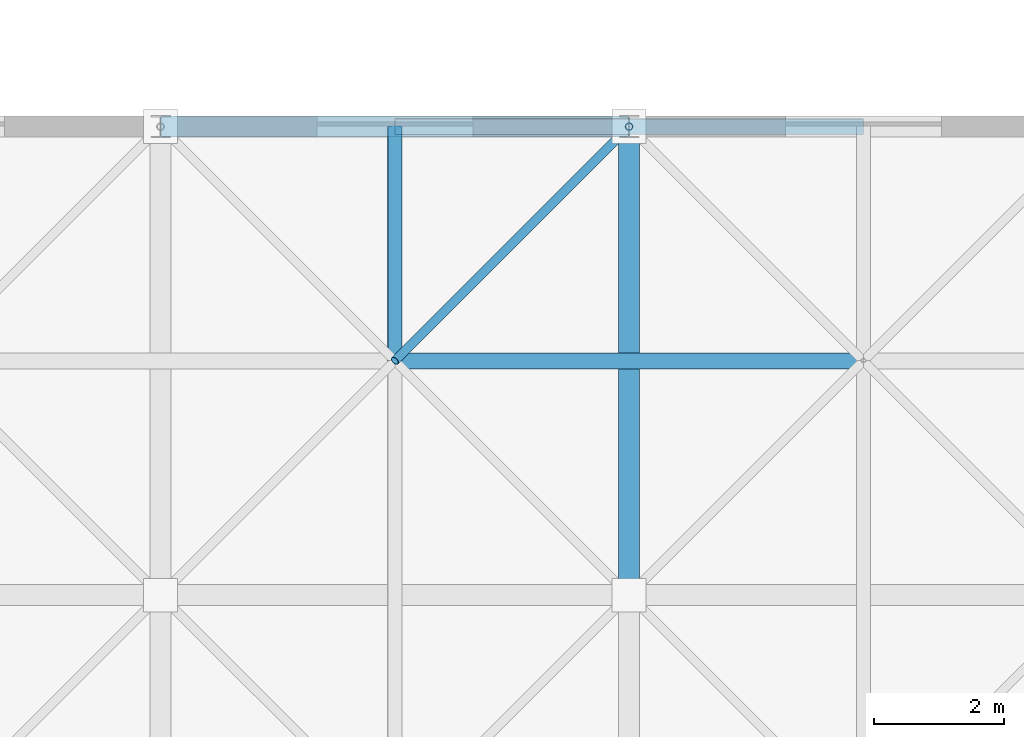
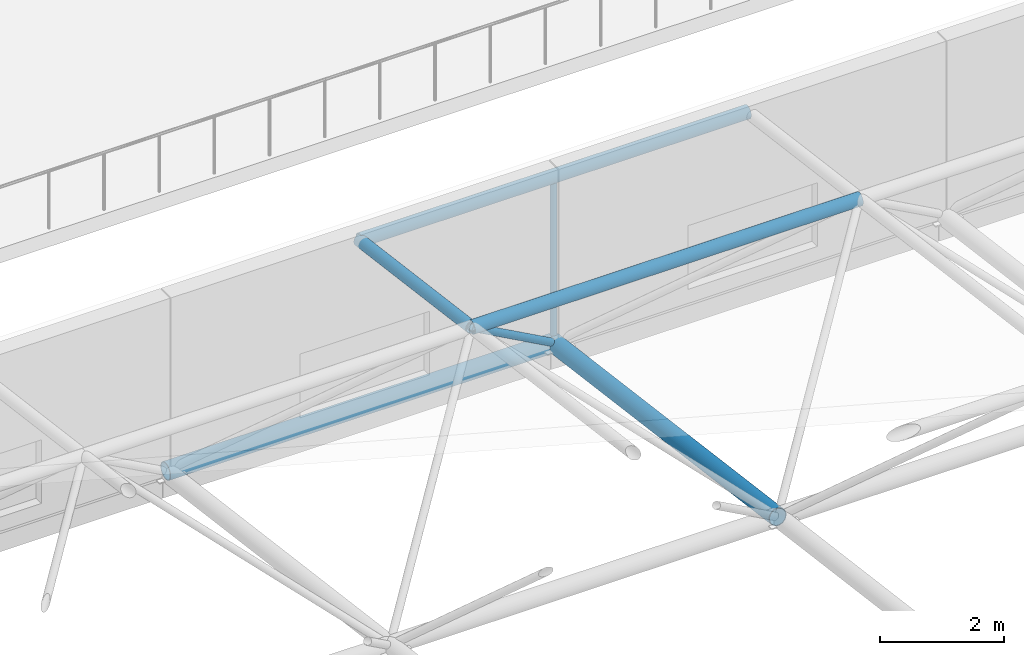
# One storey, part 60 of 103: 7 members.
"""IFC4 building model written with IfcOpenShell, lengths in metres."""

from ifc_helpers import new_model, si_unit, direction, frame, origin, origin_2d, place, context, subcontext, project, spatial, hollow_circle, extrude, material, material_profile, profile_set, type_object, element, save


model = new_model("IFC4")

# Units and contexts
model_context = context("Model", 3, precision=1e-05, world=origin(), true_north=direction((0.0, 1.0)))
body_context = subcontext(model_context, "Body", "Model", "MODEL_VIEW")
ifc_project = project(units=[si_unit("LENGTHUNIT", "METRE"), si_unit("AREAUNIT", "SQUARE_METRE"), si_unit("VOLUMEUNIT", "CUBIC_METRE"), si_unit("PLANEANGLEUNIT", "RADIAN"), si_unit("MASSUNIT", "GRAM", prefix="KILO")], contexts=[model_context])

# Site, building, storey
site_placement = place(None, origin())
site = spatial("IfcSite", under=ifc_project, at=site_placement, CompositionType="ELEMENT")
building_placement = place(site_placement, origin())
building = spatial("IfcBuilding", under=site, at=building_placement, Name="Thalmaran Polytechnic", CompositionType="ELEMENT")
storey_placement = place(building_placement, frame((0.0, 0.0, 14.39990234375)))
storey = spatial("IfcBuildingStorey", under=building, at=storey_placement, Name="L03", CompositionType="ELEMENT", Elevation=14.39990234375)

# Members
ifc_material = material(Name="Steel S355", Category="steel")
ifc_material_profile_1 = material_profile(ifc_material, hollow_circle(Radius=0.161865234375, WallThickness=0.012451171875, at=origin_2d()), Name="CHS 323.9x12.5")
ifc_profile_set_1 = profile_set([ifc_material_profile_1], Name="Steel S355")
member_type_1 = type_object("IfcMemberType", Name="MB-SFC0", PredefinedType="CHORD", material=ifc_profile_set_1)
member_1_placement = place(storey_placement, frame((151.199951171875, 50.39990234375, 0.380126953125), z_axis=(1.0, 0.0, 0.0), x_axis=(0.0, 1.0, 0.0)))
element("IfcMember", 1, at=member_1_placement, inside=storey, type_object=member_type_1, Name="Space-Frame Bottom Chord X (6,8)", PredefinedType="CHORD", context=body_context, shape_type="SweptSolid", body=[
    extrude(hollow_circle(Radius=0.161865234375, WallThickness=0.012451171875, at=origin_2d()), origin(), (0.0, 0.0, 1.0), 7.199951171875),
])
ifc_material_profile_2 = material_profile(ifc_material, hollow_circle(Radius=0.122314453125, WallThickness=0.010009765625, at=origin_2d()), Name="CHS 244.5x10.0")
ifc_profile_set_2 = profile_set([ifc_material_profile_2], Name="Steel S355")
member_type_2 = type_object("IfcMemberType", Name="MB-SFC1", PredefinedType="CHORD", material=ifc_profile_set_2)
for number, where, z_axis, x_axis, name in (
    (2, (154.800048828125, 46.800048828125, 4.1240234375), (1.0, 0.0, 0.0), (0.0, 1.0, 0.0), "Space-Frame Top Chord X (7,8)"),
    (3, (154.800048828125, 50.39990234375, 3.650146484375), (1.0, 0.0, 0.0), (0.0, 1.0, 0.0), "Space-Frame Top Chord X (7,9)"),
):
    element("IfcMember", number, at=place(storey_placement, frame(where, z_axis=z_axis, x_axis=x_axis)), inside=storey, type_object=member_type_2, Name=name, PredefinedType="CHORD", context=body_context, shape_type="SweptSolid", body=[
        extrude(hollow_circle(Radius=0.122314453125, WallThickness=0.010009765625, at=origin_2d()), origin(), (0.0, 0.0, 1.0), 7.199951171875),
    ])
ifc_material_profile_3 = material_profile(ifc_material, hollow_circle(Radius=0.109619140625, WallThickness=0.010009765625, at=origin_2d()), Name="CHS 219.1x10.0")
ifc_profile_set_3 = profile_set([ifc_material_profile_3], Name="Steel S355")
member_type_3 = type_object("IfcMemberType", Name="MB-SFC2", PredefinedType="CHORD", material=ifc_profile_set_3)
member_2_placement = place(storey_placement, frame((154.800048828125, 46.800048828125, 4.1240234375), z_axis=(0.0, 0.99144674145, -0.130511910828), x_axis=(-1.0, 0.0, 0.0)))
element("IfcMember", 4, at=member_2_placement, inside=storey, type_object=member_type_3, Name="Space-Frame Top Chord Y (7,8)", PredefinedType="CHORD", context=body_context, shape_type="SweptSolid", body=[
    extrude(hollow_circle(Radius=0.109619140625, WallThickness=0.010009765625, at=origin_2d()), origin(), (0.0, 0.0, 1.0), 3.630859375),
])
ifc_material_profile_4 = material_profile(ifc_material, hollow_circle(Radius=0.161865234375, WallThickness=0.012451171875, at=origin_2d()), Name="CHS 323.9x12.5")
ifc_profile_set_4 = profile_set([ifc_material_profile_4], Name="Steel S355")
member_type_4 = type_object("IfcMemberType", Name="MB-SFC4", PredefinedType="CHORD", material=ifc_profile_set_4)
member_3_placement = place(storey_placement, frame((158.39990234375, 43.199951171875, 1.327880859375), z_axis=(0.0, 0.991447314079, -0.130507560722), x_axis=(-1.0, 0.0, 0.0)))
element("IfcMember", 5, at=member_3_placement, inside=storey, type_object=member_type_4, Name="Space-Frame Bottom Chord Y (7,7)", PredefinedType="CHORD", context=body_context, shape_type="SweptSolid", body=[
    extrude(hollow_circle(Radius=0.161865234375, WallThickness=0.012451171875, at=origin_2d()), origin(), (0.0, 0.0, 1.0), 7.261962890625),
])
ifc_material_profile_5 = material_profile(ifc_material, hollow_circle(Radius=0.06982421875, WallThickness=0.008056640625, at=origin_2d()), Name="CHS 139.7x8.0")
ifc_profile_set_5 = profile_set([ifc_material_profile_5], Name="Steel S355")
member_type_5 = type_object("IfcMemberType", Name="MB-SFD2", PredefinedType="BRACE", material=ifc_profile_set_5)
member_4_placement = place(storey_placement, frame((158.39990234375, 50.39990234375, 0.380126953125), z_axis=(-0.569652331509, -0.569652331509, 0.592446151488), x_axis=(0.707106781187, -0.707106781187, 0.0)))
element("IfcMember", 6, at=member_4_placement, inside=storey, type_object=member_type_5, Name="Space-Frame Web Diagonal (6,7)-4", PredefinedType="BRACE", context=body_context, shape_type="SweptSolid", body=[
    extrude(hollow_circle(Radius=0.06982421875, WallThickness=0.008056640625, at=origin_2d()), origin(), (0.0, 0.0, 1.0), 6.3193359375),
])
ifc_material_profile_6 = material_profile(ifc_material, hollow_circle(Radius=0.05712890625, WallThickness=0.00634765625, at=origin_2d()), Name="CHS 114.3x6.3")
ifc_profile_set_6 = profile_set([ifc_material_profile_6], Name="Steel S355")
member_type_6 = type_object("IfcMemberType", Name="MB-SFD3", PredefinedType="BRACE", material=ifc_profile_set_6)
member_5_placement = place(storey_placement, frame((158.39990234375, 50.39990234375, 0.380126953125), z_axis=(0.0, 0.0, 1.0), x_axis=(1.0, 0.0, 0.0)))
element("IfcMember", 7, at=member_5_placement, inside=storey, type_object=member_type_6, Name="Space-Frame Eave Post (7,8)", PredefinedType="BRACE", context=body_context, shape_type="SweptSolid", body=[
    extrude(hollow_circle(Radius=0.05712890625, WallThickness=0.00634765625, at=origin_2d()), origin(), (0.0, 0.0, 1.0), 3.27001953125),
])

save(model, "model.ifc")
